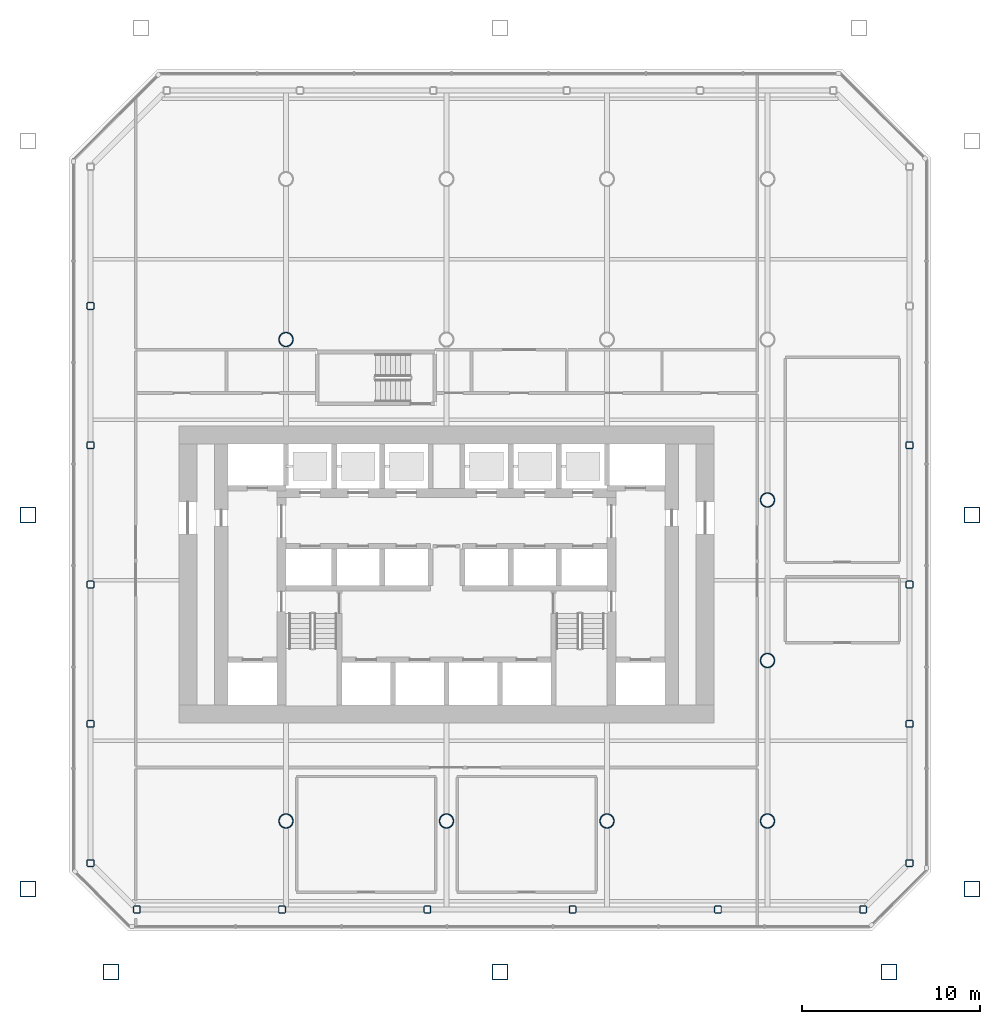
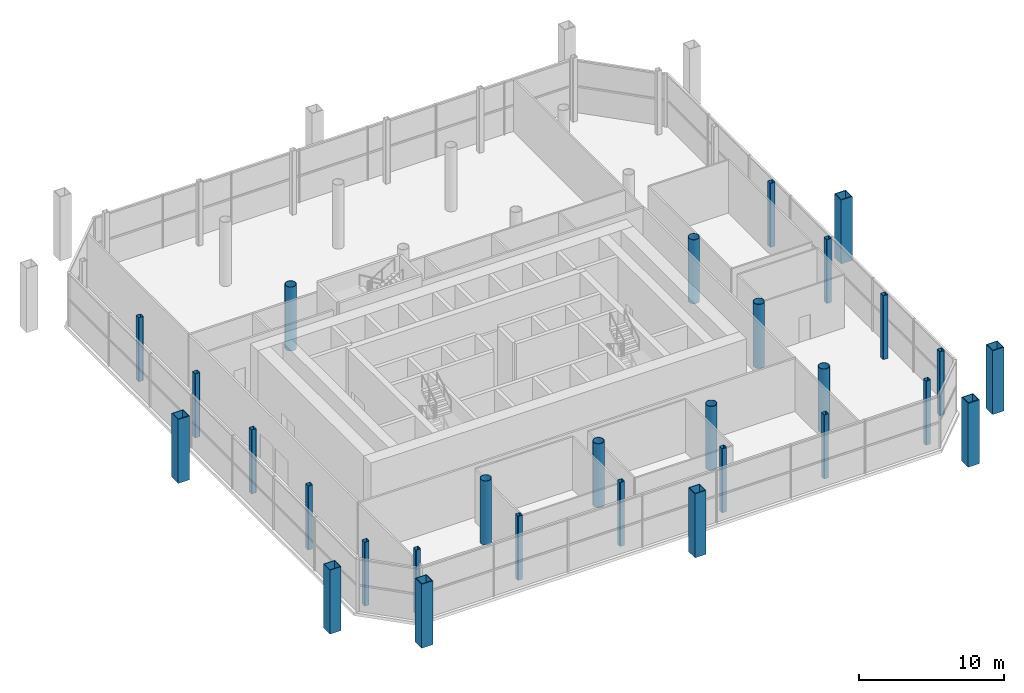
# One storey, part 1 of 13: 29 columns.
"""IFC4 building model written with IfcOpenShell, lengths in metres."""

import ifcopenshell
import ifcopenshell.guid

model = None  # the IFC model being written
_history = None  # IfcOwnerHistory: only IFC2X3 demands one
_inside = {}  # id of a spatial element -> (the spatial element, [elements in it])
_under = {}  # id of a project, library or spatial element -> (it, [spatial elements below it])
_declared = {}  # id of a project -> (the project, [libraries it declares])
_typed = {}  # id of a type object -> (the type object, [elements of that type])
_made_of = {}  # id of a material, layer set ... -> (it, [elements and type objects made of it])


def new_model(schema):
    """Start an empty IFC model of exactly this schema.

    Asked for "IFC4X3", IfcOpenShell would pick the latest addendum, in which some entities
    have other attributes; the version numbers below select the first issue.
    IFC2X3 requires an IfcOwnerHistory on every rooted entity: one is made here for all.
    """
    global model, _history
    if schema == "IFC4X3":
        model = ifcopenshell.file(schema_version=(4, 3, 0, 0))
    else:
        model = ifcopenshell.file(schema=schema)
    _inside.clear()
    _under.clear()
    _declared.clear()
    _typed.clear()
    _made_of.clear()
    _history = None
    if model.schema == "IFC2X3":
        org = make("IfcOrganization", Name="unknown")
        user = make(
            "IfcPersonAndOrganization",
            ThePerson=make("IfcPerson", FamilyName="unknown"),
            TheOrganization=org,
        )
        app = make(
            "IfcApplication",
            ApplicationDeveloper=org,
            Version="unknown",
            ApplicationFullName="unknown",
            ApplicationIdentifier="unknown",
        )
        _history = make(
            "IfcOwnerHistory",
            OwningUser=user,
            OwningApplication=app,
            ChangeAction="ADDED",
            CreationDate=0,
        )
    return model


def make(cls, **values):
    """One entity of the class cls with the attributes given. An attribute that is None is left unset."""
    return model.create_entity(
        cls, **{name: value for name, value in values.items() if value is not None}
    )


def rooted(cls, **values):
    """An entity with a GlobalId (a new one), such as an element, a storey or a relation."""
    return make(cls, GlobalId=ifcopenshell.guid.new(), OwnerHistory=_history, **values)


def si_unit(unit_type, name, prefix=None):
    """IfcSIUnit, for example si_unit("LENGTHUNIT", "METRE", prefix="MILLI")."""
    return make("IfcSIUnit", UnitType=unit_type, Prefix=prefix, Name=name)


def assignment(units):
    """IfcUnitAssignment: the units of a project."""
    return None if units is None else make("IfcUnitAssignment", Units=units)


def point(xyz):
    """IfcCartesianPoint."""
    return None if xyz is None else make("IfcCartesianPoint", Coordinates=xyz)


def direction(xyz):
    """IfcDirection."""
    return None if xyz is None else make("IfcDirection", DirectionRatios=xyz)


def frame(location, z_axis=None, x_axis=None):
    """IfcAxis2Placement3D, a coordinate frame: its origin and axes. An axis left out is left unset."""
    return make(
        "IfcAxis2Placement3D",
        Location=point(location),
        Axis=direction(z_axis),
        RefDirection=direction(x_axis),
    )


def frame_2d(location, x_axis=None):
    """IfcAxis2Placement2D, a coordinate frame in the plane: its origin and x axis."""
    return make(
        "IfcAxis2Placement2D", Location=point(location), RefDirection=direction(x_axis)
    )


def origin():
    """The frame at (0, 0, 0) with its axes left unset."""
    return frame((0.0, 0.0, 0.0))


def origin_2d():
    """The frame at (0, 0) in the plane with its x axis left unset."""
    return frame_2d((0.0, 0.0))


def place(relative_to, where):
    """IfcLocalPlacement: puts the frame where relative to a parent placement (None: the world)."""
    return make(
        "IfcLocalPlacement", PlacementRelTo=relative_to, RelativePlacement=where
    )


def context(
    kind, dimensions, precision=None, world=None, true_north=None, identifier=None
):
    """IfcGeometricRepresentationContext, for example the 3D "Model" context."""
    return make(
        "IfcGeometricRepresentationContext",
        ContextIdentifier=identifier,
        ContextType=kind,
        CoordinateSpaceDimension=dimensions,
        Precision=precision,
        WorldCoordinateSystem=world,
        TrueNorth=true_north,
    )


def subcontext(parent, identifier, kind, view, scale=None):
    """IfcGeometricRepresentationSubContext, for example "Body" below "Model"."""
    return make(
        "IfcGeometricRepresentationSubContext",
        ContextIdentifier=identifier,
        ContextType=kind,
        ParentContext=parent,
        TargetScale=scale,
        TargetView=view,
    )


def project(units=None, contexts=None):
    """IfcProject with its units and contexts."""
    return rooted(
        "IfcProject",
        Name="project",
        RepresentationContexts=contexts,
        UnitsInContext=assignment(units),
    )


def spatial(cls, under=None, at=None, **own):
    """A site, building, storey or space (cls), placed at a placement, below another one or the project."""
    s = rooted(cls, ObjectPlacement=at, **own)
    if under is not None:
        _under.setdefault(under.id(), (under, []))[1].append(s)
    return s


def profile(cls, at=None, kind="AREA", **sizes):
    """A parametric profile (cls). Its sizes go by their IFC names, for example OverallWidth=200.0."""
    return make(cls, ProfileType=kind, Position=at, **sizes)


def hollow_rectangle(**sizes):
    """IfcRectangleHollowProfileDef."""
    return profile("IfcRectangleHollowProfileDef", **sizes)


def hollow_circle(**sizes):
    """IfcCircleHollowProfileDef."""
    return profile("IfcCircleHollowProfileDef", **sizes)


def extrude(swept, where, along, depth):
    """IfcExtrudedAreaSolid: the profile swept, set in the frame where, extruded along a direction by depth."""
    return make(
        "IfcExtrudedAreaSolid",
        SweptArea=swept,
        Position=where,
        ExtrudedDirection=direction(along),
        Depth=depth,
    )


def shape(context_of_items, identifier, shape_type, items):
    """IfcShapeRepresentation: the items that make up one representation, for example the "Body"."""
    return make(
        "IfcShapeRepresentation",
        ContextOfItems=context_of_items,
        RepresentationIdentifier=identifier,
        RepresentationType=shape_type,
        Items=items,
    )


def material(Name=None, Category=None):
    """IfcMaterial."""
    return make("IfcMaterial", Name=Name, Category=Category)


def material_profile(
    of_material, cross_section, Name=None, Category=None, Priority=None
):
    """IfcMaterialProfile: a cross section and its material."""
    return make(
        "IfcMaterialProfile",
        Name=Name,
        Material=of_material,
        Profile=cross_section,
        Priority=Priority,
        Category=Category,
    )


def profile_set(profiles, Name=None, composite=None):
    """IfcMaterialProfileSet."""
    return make(
        "IfcMaterialProfileSet",
        Name=Name,
        MaterialProfiles=profiles,
        CompositeProfile=composite,
    )


def made_of(thing, what):
    """Note that an element or type object is made of a material, layer set ...; save() writes the relation."""
    if what is not None:
        _made_of.setdefault(what.id(), (what, []))[1].append(thing)
    return thing


def type_object(cls, material=None, **own):
    """A type object (cls), such as IfcWallType, which elements share."""
    return made_of(rooted(cls, **own), material)


def element(
    cls,
    number,
    at=None,
    inside=None,
    cuts=None,
    type_object=None,
    material=None,
    context=None,
    identifier="Body",
    shape_type=None,
    held_by="IfcProductDefinitionShape",
    body=None,
    shapes=None,
    **own,
):
    """One element of the class cls, such as IfcWall. Its Tag is "e" and its number.

    at: its placement. inside: the storey or other place that contains it. cuts: it is an
    opening in that element (IfcRelVoidsElement). A single representation is given by context,
    identifier, shape_type and body (its items); several are given by shapes. held_by: the class
    of the entity that holds the representations. save() writes the other relations.
    """
    e = rooted(cls, Tag="e%d" % number, ObjectPlacement=at, **own)
    if body is not None:
        shapes = [shape(context, identifier, shape_type, body)]
    if shapes is not None:
        e.Representation = make(held_by, Representations=shapes)
    if inside is not None:
        _inside.setdefault(inside.id(), (inside, []))[1].append(e)
    if cuts is not None:
        rooted(
            "IfcRelVoidsElement", RelatingBuildingElement=cuts, RelatedOpeningElement=e
        )
    if type_object is not None:
        _typed.setdefault(type_object.id(), (type_object, []))[1].append(e)
    return made_of(e, material)


def aggregate(whole, parts):
    """IfcRelAggregates: a whole, such as a stair, and the parts it consists of."""
    return rooted("IfcRelAggregates", RelatingObject=whole, RelatedObjects=parts)


def save(model, path):
    """Write the relations noted so far, then the file.

    IfcRelAggregates (storeys below a building ...), IfcRelContainedInSpatialStructure (elements
    in a storey), IfcRelDefinesByType, IfcRelAssociatesMaterial and IfcRelDeclares: one each for
    every whole, place, type object, material and project.
    """
    for whole, parts in _under.values():
        aggregate(whole, parts)
    for where, things in _inside.values():
        rooted(
            "IfcRelContainedInSpatialStructure",
            RelatedElements=things,
            RelatingStructure=where,
        )
    for kind, things in _typed.values():
        rooted("IfcRelDefinesByType", RelatedObjects=things, RelatingType=kind)
    for what, things in _made_of.values():
        rooted("IfcRelAssociatesMaterial", RelatedObjects=things, RelatingMaterial=what)
    for by, libraries in _declared.values():
        rooted("IfcRelDeclares", RelatingContext=by, RelatedDefinitions=libraries)
    model.write(path)


model = new_model("IFC4")

# Units and contexts
model_context = context("Model", 3, precision=1e-05, world=origin(), true_north=direction((0.0, 1.0)))
body_context = subcontext(model_context, "Body", "Model", "MODEL_VIEW")
ifc_project = project(units=[si_unit("LENGTHUNIT", "METRE"), si_unit("AREAUNIT", "SQUARE_METRE"), si_unit("VOLUMEUNIT", "CUBIC_METRE"), si_unit("PLANEANGLEUNIT", "RADIAN"), si_unit("MASSUNIT", "GRAM", prefix="KILO")], contexts=[model_context])

# Site, building, storey
site_placement = place(None, origin())
site = spatial("IfcSite", under=ifc_project, at=site_placement, CompositionType="ELEMENT")
building_placement = place(site_placement, origin())
building = spatial("IfcBuilding", under=site, at=building_placement, Name="Tskaro Facet Tower", CompositionType="ELEMENT")
storey_placement = place(building_placement, frame((0.0, 0.0, 108.89990234375)))
storey = spatial("IfcBuildingStorey", under=building, at=storey_placement, Name="L26", CompositionType="ELEMENT", Elevation=108.89990234375)

# Columns
ifc_material_1 = material(Name="Steel S460M", Category="steel")
ifc_material_profile_1 = material_profile(ifc_material_1, hollow_rectangle(XDim=0.89990234375, YDim=0.89990234375, WallThickness=0.054931640625, at=origin_2d()), Name="BOX 900x900x55")
ifc_profile_set_1 = profile_set([ifc_material_profile_1], Name="Steel S460M")
column_type_1 = type_object("IfcColumnType", Name="BOX 900x900x55 mega column", PredefinedType="COLUMN", material=ifc_profile_set_1)
for number, where, z_axis, x_axis, name in (
    (1, (-18.81494140625, -26.467041015625, 0.0), (0.0, 0.0, 1.0), (1.0, 0.0, 0.0), "BOX 900x900x55 MC01/2T"),
    (2, (3.0, -26.467041015625, 0.0), (0.0, 0.0, 1.0), (1.0, 0.0, 0.0), "BOX 900x900x55 MC02/2T"),
    (3, (24.81494140625, -26.467041015625, 0.0), (0.0, 0.0, 1.0), (1.0, 0.0, 0.0), "BOX 900x900x55 MC03/2T"),
    (4, (29.467041015625, -21.81494140625, 0.0), (0.0, 0.0, 1.0), (1.0, 0.0, 0.0), "BOX 900x900x55 MC04/2T"),
    (5, (29.467041015625, -0.8369140625, 0.0), (0.0, 0.0, 1.0), (1.0, 0.0, 0.0), "BOX 900x900x55 MC05/2T"),
    (6, (-23.467041015625, -0.8369140625, 0.0), (0.0, 0.0, 1.0), (1.0, 0.0, 0.0), "BOX 900x900x55 MC11/2T"),
    (7, (-23.467041015625, -21.81494140625, 0.0), (0.0, 0.0, 1.0), (1.0, 0.0, 0.0), "BOX 900x900x55 MC12/2T"),
):
    element("IfcColumn", number, at=place(storey_placement, frame(where, z_axis=z_axis, x_axis=x_axis)), inside=storey, type_object=column_type_1, Name=name, PredefinedType="COLUMN", context=body_context, shape_type="SweptSolid", body=[
        extrude(hollow_rectangle(XDim=0.89990234375, YDim=0.89990234375, WallThickness=0.054931640625, at=origin_2d()), origin(), (0.0, 0.0, 1.0), 5.400146484375),
    ])
ifc_material_2 = material(Name="Steel S355J2H", Category="steel")
ifc_material_profile_2 = material_profile(ifc_material_2, hollow_circle(Radius=0.406494140625, WallThickness=0.035888671875, at=origin_2d()), Name="CHS 812.8x36")
ifc_profile_set_2 = profile_set([ifc_material_profile_2], Name="Steel S355J2H")
column_type_2 = type_object("IfcColumnType", Name="CHS 812.8x36 interior column", PredefinedType="COLUMN", material=ifc_profile_set_2)
for number, where, z_axis, x_axis, name in (
    (8, (-9.0, -18.0, 0.0), (0.0, 0.0, 1.0), (1.0, 0.0, 0.0), "CHS 812.8x36 C3B/2"),
    (9, (-9.0, 9.0, 0.0), (0.0, 0.0, 1.0), (1.0, 0.0, 0.0), "CHS 812.8x36 C3E/2"),
    (10, (0.0, -18.0, 0.0), (0.0, 0.0, 1.0), (1.0, 0.0, 0.0), "CHS 812.8x36 C4B/2"),
    (11, (9.0, -18.0, 0.0), (0.0, 0.0, 1.0), (1.0, 0.0, 0.0), "CHS 812.8x36 C5B/2"),
    (12, (18.0, -18.0, 0.0), (0.0, 0.0, 1.0), (1.0, 0.0, 0.0), "CHS 812.8x36 C6B/2"),
    (13, (18.0, -9.0, 0.0), (0.0, 0.0, 1.0), (1.0, 0.0, 0.0), "CHS 812.8x36 C6C/2"),
    (14, (18.0, 0.0, 0.0), (0.0, 0.0, 1.0), (1.0, 0.0, 0.0), "CHS 812.8x36 C6D/2"),
):
    element("IfcColumn", number, at=place(storey_placement, frame(where, z_axis=z_axis, x_axis=x_axis)), inside=storey, type_object=column_type_2, Name=name, PredefinedType="COLUMN", context=body_context, shape_type="SweptSolid", body=[
        extrude(hollow_circle(Radius=0.406494140625, WallThickness=0.035888671875, at=origin_2d()), origin(), (0.0, 0.0, 1.0), 5.400146484375),
    ])
ifc_material_profile_3 = material_profile(ifc_material_2, hollow_rectangle(XDim=0.39990234375, YDim=0.39990234375, WallThickness=0.02490234375, InnerFilletRadius=0.03759765625, OuterFilletRadius=0.0625, at=origin_2d()), Name="SHS 400x400x25")
ifc_profile_set_3 = profile_set([ifc_material_profile_3], Name="Steel S355J2H")
column_type_3 = type_object("IfcColumnType", Name="SHS 400x400x25 ring column", PredefinedType="COLUMN", material=ifc_profile_set_3)
for number, where, z_axis, x_axis, name in (
    (15, (-17.364013671875, -22.965087890625, 0.0), (0.0, 0.0, 1.0), (1.0, 0.0, 0.0), "SHS 400x400x25 RS-1/2"),
    (16, (-9.218017578125, -22.965087890625, 0.0), (0.0, 0.0, 1.0), (1.0, 0.0, 0.0), "SHS 400x400x25 RS-2/2"),
    (17, (-1.072998046875, -22.965087890625, 0.0), (0.0, 0.0, 1.0), (1.0, 0.0, 0.0), "SHS 400x400x25 RS-3/2"),
    (18, (7.072998046875, -22.965087890625, 0.0), (0.0, 0.0, 1.0), (1.0, 0.0, 0.0), "SHS 400x400x25 RS-4/2"),
    (19, (15.218017578125, -22.965087890625, 0.0), (0.0, 0.0, 1.0), (1.0, 0.0, 0.0), "SHS 400x400x25 RS-5/2"),
    (20, (23.364013671875, -22.965087890625, 0.0), (0.0, 0.0, 1.0), (1.0, 0.0, 0.0), "SHS 400x400x25 RSE-1/2"),
    (21, (25.965087890625, -20.364013671875, 0.0), (0.0, 0.0, 1.0), (1.0, 0.0, 0.0), "SHS 400x400x25 RE-1/2"),
    (22, (25.965087890625, -12.552978515625, 0.0), (0.0, 0.0, 1.0), (1.0, 0.0, 0.0), "SHS 400x400x25 RE-2/2"),
    (23, (25.965087890625, -4.741943359375, 0.0), (0.0, 0.0, 1.0), (1.0, 0.0, 0.0), "SHS 400x400x25 RE-3/2"),
    (24, (25.965087890625, 3.068115234375, 0.0), (0.0, 0.0, 1.0), (1.0, 0.0, 0.0), "SHS 400x400x25 RE-4/2"),
    (25, (-19.965087890625, 10.87890625, 0.0), (0.0, 0.0, 1.0), (1.0, 0.0, 0.0), "SHS 400x400x25 RW-2/2"),
    (26, (-19.965087890625, 3.068115234375, 0.0), (0.0, 0.0, 1.0), (1.0, 0.0, 0.0), "SHS 400x400x25 RW-3/2"),
    (27, (-19.965087890625, -4.741943359375, 0.0), (0.0, 0.0, 1.0), (1.0, 0.0, 0.0), "SHS 400x400x25 RW-4/2"),
    (28, (-19.965087890625, -12.552978515625, 0.0), (0.0, 0.0, 1.0), (1.0, 0.0, 0.0), "SHS 400x400x25 RW-5/2"),
    (29, (-19.965087890625, -20.364013671875, 0.0), (0.0, 0.0, 1.0), (1.0, 0.0, 0.0), "SHS 400x400x25 RSW-1/2"),
):
    element("IfcColumn", number, at=place(storey_placement, frame(where, z_axis=z_axis, x_axis=x_axis)), inside=storey, type_object=column_type_3, Name=name, PredefinedType="COLUMN", context=body_context, shape_type="SweptSolid", body=[
        extrude(hollow_rectangle(XDim=0.39990234375, YDim=0.39990234375, WallThickness=0.02490234375, InnerFilletRadius=0.03759765625, OuterFilletRadius=0.0625, at=origin_2d()), origin(), (0.0, 0.0, 1.0), 5.400146484375),
    ])

save(model, "model.ifc")
